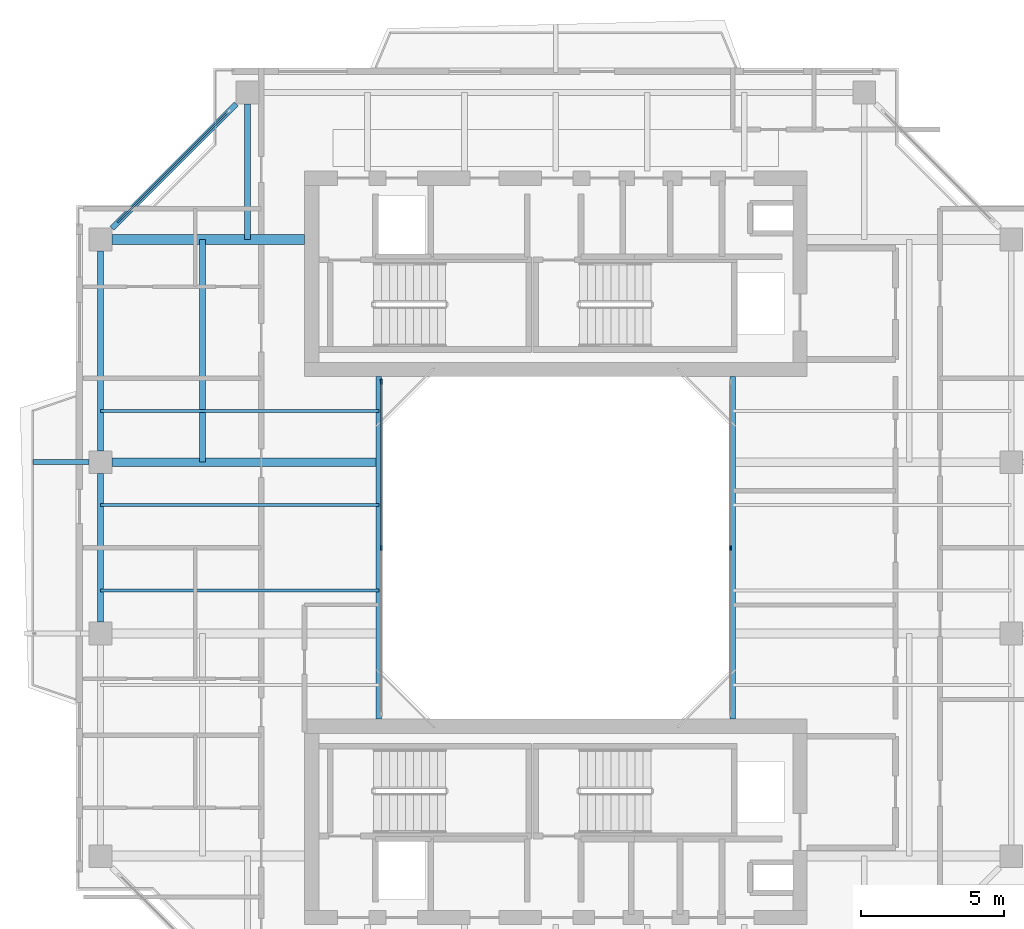
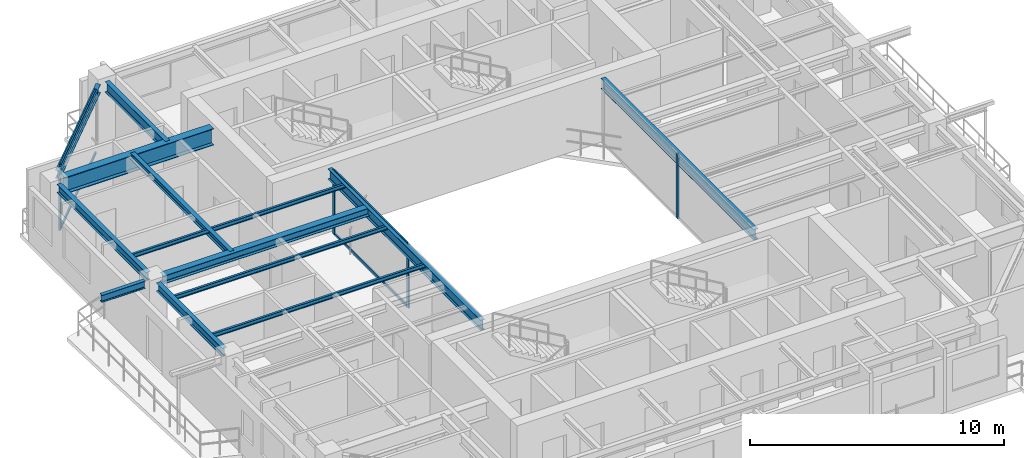
# One storey, part 5 of 15: 13 beams, 8 members, 3 elements without a shape of their own.
"""IFC4 building model written with IfcOpenShell, lengths in metres."""

from ifc_helpers import new_model, si_unit, direction, frame, origin, origin_2d, place, context, subcontext, project, spatial, rectangle, i_section, extrude, source, transform, mapped, material, layer, layer_set, material_profile, profile_set, type_object, element, aggregate, save


model = new_model("IFC4")

# Units and contexts
model_context = context("Model", 3, precision=1e-05, world=origin(), true_north=direction((0.0, 1.0)))
body_context = subcontext(model_context, "Body", "Model", "MODEL_VIEW")
ifc_project = project(units=[si_unit("LENGTHUNIT", "METRE"), si_unit("AREAUNIT", "SQUARE_METRE"), si_unit("VOLUMEUNIT", "CUBIC_METRE"), si_unit("PLANEANGLEUNIT", "RADIAN"), si_unit("MASSUNIT", "GRAM", prefix="KILO"), si_unit("THERMODYNAMICTEMPERATUREUNIT", "KELVIN"), si_unit("POWERUNIT", "WATT")], contexts=[model_context])

# Site, building, storey
site_placement = place(None, origin())
site = spatial("IfcSite", under=ifc_project, at=site_placement, CompositionType="ELEMENT")
building_placement = place(site_placement, origin())
building = spatial("IfcBuilding", under=site, at=building_placement, Name="Qiaomeng Ring Towers", CompositionType="ELEMENT")
storey_placement = place(building_placement, frame((0.0, 0.0, 213.25)))
storey = spatial("IfcBuildingStorey", under=building, at=storey_placement, Name="L62", CompositionType="ELEMENT", Elevation=213.25)

# Beams
ifc_material_1 = material(Name="Steel Q355B", Category="steel")
ifc_material_profile_1 = material_profile(ifc_material_1, i_section(OverallWidth=0.199951171875, OverallDepth=0.5, WebThickness=0.010009765625, FlangeThickness=0.01611328125, FilletRadius=0.02001953125, at=origin_2d()), Name="HN 500x200x10x16")
ifc_profile_set_1 = profile_set([ifc_material_profile_1], Name="Steel Q355B")
beam_type_1 = type_object("IfcBeamType", Name="STR-BM-HN500", PredefinedType="BEAM", material=ifc_profile_set_1)
shared_shape_1 = source(origin(), body_context, "Body", "SweptSolid", [
    extrude(i_section(OverallWidth=0.199951171875, OverallDepth=0.5, WebThickness=0.010009765625, FlangeThickness=0.01611328125, FilletRadius=0.02001953125, at=origin_2d()), origin(), (0.0, 0.0, 1.0), 12.0),
])
for number, where, z_axis, x_axis, name in (
    (1, (12.800048828125, 17.0, 2.820068359375), (0.0, 1.0, 0.0), (-1.0, 0.0, 0.0), "L62 beam STR-BM-L62-WELL-W"),
    (2, (25.199951171875, 17.0, 2.820068359375), (0.0, 1.0, 0.0), (-1.0, 0.0, 0.0), "L62 beam STR-BM-L62-WELL-E"),
):
    element("IfcBeam", number, at=place(storey_placement, frame(where, z_axis=z_axis, x_axis=x_axis)), inside=storey, type_object=beam_type_1, Name=name, PredefinedType="BEAM", context=body_context, shape_type="MappedRepresentation", body=[
        mapped(shared_shape_1, transform((0.0, 0.0, 0.0), x_axis=(1.0, 0.0, 0.0), y_axis=(0.0, 1.0, 0.0), z_axis=(0.0, 0.0, 1.0), scale=1.0)),
    ])
ifc_material_profile_2 = material_profile(ifc_material_1, i_section(OverallWidth=0.198974609375, OverallDepth=0.39599609375, WebThickness=0.007080078125, FlangeThickness=0.010986328125, FilletRadius=0.01611328125, at=origin_2d()), Name="HN 396x199x7x11")
ifc_profile_set_2 = profile_set([ifc_material_profile_2], Name="Steel Q355B")
beam_type_2 = type_object("IfcBeamType", Name="STR-BM-HN396", PredefinedType="SPANDREL", material=ifc_profile_set_2)
shared_shape_2 = source(origin(), body_context, "Body", "SweptSolid", [
    extrude(i_section(OverallWidth=0.198974609375, OverallDepth=0.39599609375, WebThickness=0.007080078125, FlangeThickness=0.010986328125, FilletRadius=0.01611328125, at=origin_2d()), origin(), (0.0, 0.0, 1.0), 6.154052734375),
])
beam_1_placement = place(storey_placement, frame((7.80078125, 38.55078125, 2.8720703125), z_axis=(-0.707106781187, -0.707106781187, 0.0), x_axis=(0.707106781187, -0.707106781187, 0.0)))
element("IfcBeam", 3, at=beam_1_placement, inside=storey, type_object=beam_type_2, Name="L62 beam STR-SP-L62-T1-N1-W4", PredefinedType="SPANDREL", context=body_context, shape_type="MappedRepresentation", body=[
    mapped(shared_shape_2, transform((0.0, 0.0, 0.0), x_axis=(1.0, 0.0, 0.0), y_axis=(0.0, 1.0, 0.0), z_axis=(0.0, 0.0, 1.0), scale=1.0)),
])
shared_shape_3 = source(origin(), body_context, "Body", "SweptSolid", [
    extrude(i_section(OverallWidth=0.198974609375, OverallDepth=0.39599609375, WebThickness=0.007080078125, FlangeThickness=0.010986328125, FilletRadius=0.01611328125, at=origin_2d()), origin(), (0.0, 0.0, 1.0), 7.001953125),
])
beam_2_placement = place(storey_placement, frame((3.050048828125, 33.40087890625, 2.8720703125), z_axis=(0.0, -1.0, 0.0), x_axis=(1.0, 0.0, 0.0)))
element("IfcBeam", 4, at=beam_2_placement, inside=storey, type_object=beam_type_2, Name="L62 beam STR-SP-L62-T1-W4-W3", PredefinedType="SPANDREL", context=body_context, shape_type="MappedRepresentation", body=[
    mapped(shared_shape_3, transform((0.0, 0.0, 0.0), x_axis=(1.0, 0.0, 0.0), y_axis=(0.0, 1.0, 0.0), z_axis=(0.0, 0.0, 1.0), scale=1.0)),
])
shared_shape_4 = source(origin(), body_context, "Body", "SweptSolid", [
    extrude(i_section(OverallWidth=0.198974609375, OverallDepth=0.39599609375, WebThickness=0.007080078125, FlangeThickness=0.010986328125, FilletRadius=0.01611328125, at=origin_2d()), origin(), (0.0, 0.0, 1.0), 5.2021484375),
])
beam_3_placement = place(storey_placement, frame((3.050048828125, 25.60107421875, 2.8720703125), z_axis=(0.0, -1.0, 0.0), x_axis=(1.0, 0.0, 0.0)))
element("IfcBeam", 5, at=beam_3_placement, inside=storey, type_object=beam_type_2, Name="L62 beam STR-SP-L62-T1-W3-W2", PredefinedType="SPANDREL", context=body_context, shape_type="MappedRepresentation", body=[
    mapped(shared_shape_4, transform((0.0, 0.0, 0.0), x_axis=(1.0, 0.0, 0.0), y_axis=(0.0, 1.0, 0.0), z_axis=(0.0, 0.0, 1.0), scale=1.0)),
])
ifc_material_2 = material(Name="Steel Q390GJC", Category="steel")
ifc_material_profile_3 = material_profile(ifc_material_2, i_section(OverallWidth=0.35009765625, OverallDepth=0.800048828125, WebThickness=0.01611328125, FlangeThickness=0.028076171875, at=origin_2d()), Name="WH 800x350x16x28")
ifc_profile_set_3 = profile_set([ifc_material_profile_3], Name="Steel Q390GJC")
beam_type_3 = type_object("IfcBeamType", Name="STR-BM-WH800", PredefinedType="BEAM", material=ifc_profile_set_3)
shared_shape_5 = source(origin(), body_context, "Body", "SweptSolid", [
    extrude(i_section(OverallWidth=0.35009765625, OverallDepth=0.800048828125, WebThickness=0.01611328125, FlangeThickness=0.028076171875, at=origin_2d()), origin(), (0.0, 0.0, 1.0), 6.7509765625),
])
beam_4_placement = place(storey_placement, frame((3.448974609375, 33.800048828125, 2.669921875), z_axis=(1.0, 0.0, 0.0), x_axis=(0.0, 1.0, 0.0)))
element("IfcBeam", 6, at=beam_4_placement, inside=storey, type_object=beam_type_3, Name="L62 beam STR-BM-L62-T1-RAD-W4", PredefinedType="BEAM", context=body_context, shape_type="MappedRepresentation", body=[
    mapped(shared_shape_5, transform((0.0, 0.0, 0.0), x_axis=(1.0, 0.0, 0.0), y_axis=(0.0, 1.0, 0.0), z_axis=(0.0, 0.0, 1.0), scale=1.0)),
])
ifc_material_profile_4 = material_profile(ifc_material_1, i_section(OverallWidth=0.300048828125, OverallDepth=0.389892578125, WebThickness=0.010009765625, FlangeThickness=0.01611328125, FilletRadius=0.02197265625, at=origin_2d()), Name="HM 390x300x10x16")
ifc_profile_set_4 = profile_set([ifc_material_profile_4], Name="Steel Q355B")
beam_type_4 = type_object("IfcBeamType", Name="STR-BM-HM390", PredefinedType="BEAM", material=ifc_profile_set_4)
shared_shape_6 = source(origin(), body_context, "Body", "SweptSolid", [
    extrude(i_section(OverallWidth=0.300048828125, OverallDepth=0.389892578125, WebThickness=0.010009765625, FlangeThickness=0.01611328125, FilletRadius=0.02197265625, at=origin_2d()), origin(), (0.0, 0.0, 1.0), 9.35107421875),
])
beam_5_placement = place(storey_placement, frame((3.448974609375, 26.0, 2.875), z_axis=(1.0, 0.0, 0.0), x_axis=(0.0, 1.0, 0.0)))
element("IfcBeam", 7, at=beam_5_placement, inside=storey, type_object=beam_type_4, Name="L62 beam STR-BM-L62-T1-RAD-W3", PredefinedType="BEAM", context=body_context, shape_type="MappedRepresentation", body=[
    mapped(shared_shape_6, transform((0.0, 0.0, 0.0), x_axis=(1.0, 0.0, 0.0), y_axis=(0.0, 1.0, 0.0), z_axis=(0.0, 0.0, 1.0), scale=1.0)),
])
ifc_material_profile_5 = material_profile(ifc_material_1, i_section(OverallWidth=0.175048828125, OverallDepth=0.35009765625, WebThickness=0.007080078125, FlangeThickness=0.010986328125, FilletRadius=0.013916015625, at=origin_2d()), Name="HN 350x175x7x11")
ifc_profile_set_5 = profile_set([ifc_material_profile_5], Name="Steel Q355B")
beam_type_5 = type_object("IfcBeamType", Name="STR-BM-HN350", PredefinedType="JOIST", material=ifc_profile_set_5)
shared_shape_7 = source(origin(), body_context, "Body", "SweptSolid", [
    extrude(i_section(OverallWidth=0.175048828125, OverallDepth=0.35009765625, WebThickness=0.007080078125, FlangeThickness=0.010986328125, FilletRadius=0.013916015625, at=origin_2d()), origin(), (0.0, 0.0, 1.0), 1.970947265625),
])
beam_6_placement = place(storey_placement, frame((0.679931640625, 26.0, 2.89501953125), z_axis=(1.0, 0.0, 0.0), x_axis=(0.0, 1.0, 0.0)))
element("IfcBeam", 8, at=beam_6_placement, inside=storey, type_object=beam_type_5, Name="L62 beam STR-BALBM-L62-W3", PredefinedType="JOIST", context=body_context, shape_type="MappedRepresentation", body=[
    mapped(shared_shape_7, transform((0.0, 0.0, 0.0), x_axis=(1.0, 0.0, 0.0), y_axis=(0.0, 1.0, 0.0), z_axis=(0.0, 0.0, 1.0), scale=1.0)),
])
ifc_material_profile_6 = material_profile(ifc_material_1, i_section(OverallWidth=0.10009765625, OverallDepth=0.199951171875, WebThickness=0.005615234375, FlangeThickness=0.008056640625, FilletRadius=0.010986328125, at=origin_2d()), Name="HN 200x100x5.5x8")
ifc_profile_set_6 = profile_set([ifc_material_profile_6], Name="Steel Q355B")
beam_type_6 = type_object("IfcBeamType", Name="STR-BM-HN200", PredefinedType="JOIST", material=ifc_profile_set_6)
shared_shape_8 = source(origin(), body_context, "Body", "SweptSolid", [
    extrude(i_section(OverallWidth=0.10009765625, OverallDepth=0.199951171875, WebThickness=0.005615234375, FlangeThickness=0.008056640625, FilletRadius=0.010986328125, at=origin_2d()), origin(), (0.0, 0.0, 1.0), 9.75),
])
for number, where, z_axis, x_axis, name in (
    (9, (3.050048828125, 21.5, 2.969970703125), (1.0, 0.0, 0.0), (0.0, 1.0, 0.0), "L62 beam STR-JST-L62-T1W-2"),
    (10, (3.050048828125, 24.5, 2.969970703125), (1.0, 0.0, 0.0), (0.0, 1.0, 0.0), "L62 beam STR-JST-L62-T1W-3"),
    (11, (3.050048828125, 27.800048828125, 2.969970703125), (1.0, 0.0, 0.0), (0.0, 1.0, 0.0), "L62 beam STR-JST-L62-T1W-4"),
):
    element("IfcBeam", number, at=place(storey_placement, frame(where, z_axis=z_axis, x_axis=x_axis)), inside=storey, type_object=beam_type_6, Name=name, PredefinedType="JOIST", context=body_context, shape_type="MappedRepresentation", body=[
        mapped(shared_shape_8, transform((0.0, 0.0, 0.0), x_axis=(1.0, 0.0, 0.0), y_axis=(0.0, 1.0, 0.0), z_axis=(0.0, 0.0, 1.0), scale=1.0)),
    ])
ifc_material_profile_7 = material_profile(ifc_material_1, i_section(OverallWidth=0.199951171875, OverallDepth=0.2939453125, WebThickness=0.008056640625, FlangeThickness=0.011962890625, FilletRadius=0.01806640625, at=origin_2d()), Name="HM 294x200x8x12")
ifc_profile_set_7 = profile_set([ifc_material_profile_7], Name="Steel Q355B")
beam_type_7 = type_object("IfcBeamType", Name="STR-BM-HM294", PredefinedType="JOIST", material=ifc_profile_set_7)
shared_shape_9 = source(origin(), body_context, "Body", "SweptSolid", [
    extrude(i_section(OverallWidth=0.199951171875, OverallDepth=0.2939453125, WebThickness=0.008056640625, FlangeThickness=0.011962890625, FilletRadius=0.01806640625, at=origin_2d()), origin(), (0.0, 0.0, 1.0), 7.800048828125),
])
beam_7_placement = place(storey_placement, frame((6.625, 26.0, 2.923095703125), z_axis=(0.0, 1.0, 0.0), x_axis=(-1.0, 0.0, 0.0)))
element("IfcBeam", 12, at=beam_7_placement, inside=storey, type_object=beam_type_7, Name="L62 beam STR-JST-L62-T1C-WN", PredefinedType="JOIST", context=body_context, shape_type="MappedRepresentation", body=[
    mapped(shared_shape_9, transform((0.0, 0.0, 0.0), x_axis=(1.0, 0.0, 0.0), y_axis=(0.0, 1.0, 0.0), z_axis=(0.0, 0.0, 1.0), scale=1.0)),
])
ifc_material_profile_8 = material_profile(ifc_material_1, i_section(OverallWidth=0.198974609375, OverallDepth=0.49609375, WebThickness=0.009033203125, FlangeThickness=0.013916015625, FilletRadius=0.01806640625, at=origin_2d()), Name="HN 496x199x9x14")
ifc_profile_set_8 = profile_set([ifc_material_profile_8], Name="Steel Q355B")
beam_type_8 = type_object("IfcBeamType", Name="STR-BM-HN496", PredefinedType="BEAM", material=ifc_profile_set_8)
shared_shape_10 = source(origin(), body_context, "Body", "SweptSolid", [
    extrude(i_section(OverallWidth=0.198974609375, OverallDepth=0.49609375, WebThickness=0.009033203125, FlangeThickness=0.013916015625, FilletRadius=0.01806640625, at=origin_2d()), origin(), (0.0, 0.0, 1.0), 4.7509765625),
])
beam_8_placement = place(storey_placement, frame((8.199951171875, 38.551025390625, 2.822021484375), z_axis=(0.0, -1.0, 0.0), x_axis=(1.0, 0.0, 0.0)))
element("IfcBeam", 13, at=beam_8_placement, inside=storey, type_object=beam_type_8, Name="L62 beam STR-BM-L62-T1-RAD-N1", PredefinedType="BEAM", context=body_context, shape_type="MappedRepresentation", body=[
    mapped(shared_shape_10, transform((0.0, 0.0, 0.0), x_axis=(1.0, 0.0, 0.0), y_axis=(0.0, 1.0, 0.0), z_axis=(0.0, 0.0, 1.0), scale=1.0)),
])

# Curtain wall, members
ifc_material_3 = material(Name="Fluorocarbon dark-grey aluminium", Category="aluminium")
ifc_layer_1 = layer(ifc_material_3, 0.139892578125, Name="Fluorocarbon dark-grey aluminium")
ifc_layer_set_1 = layer_set([ifc_layer_1], Name="Fluorocarbon dark-grey aluminium")
curtain_wall_type_1 = type_object("IfcCurtainWallType", Name="ARC-CW-4", PredefinedType="NOTDEFINED", material=ifc_layer_set_1)
curtain_wall_1_placement = place(storey_placement, origin())
curtain_wall_1 = element("IfcCurtainWall", 14, at=curtain_wall_1_placement, inside=storey, type_object=curtain_wall_type_1, Name="L62 Curtain Wall CW4", PredefinedType="NOTDEFINED")
ifc_material_profile_9 = material_profile(ifc_material_3, rectangle(XDim=0.06494140625, YDim=0.159912109375, at=origin_2d()), Name="ALU MULL 65x160")
ifc_profile_set_9 = profile_set([ifc_material_profile_9], Name="Fluorocarbon dark-grey aluminium")
member_type_1 = type_object("IfcMemberType", Name="ARC-CWM-140", PredefinedType="MULLION", material=ifc_profile_set_9)
shared_shape_11 = source(origin(), body_context, "Body", "SweptSolid", [
    extrude(rectangle(XDim=0.06494140625, YDim=0.159912109375, at=origin_2d()), origin(), (0.0, 0.0, 1.0), 3.070068359375),
])
member_1_placement = place(storey_placement, frame((12.8798828125, 23.0, 0.0), z_axis=(0.0, 0.0, 1.0), x_axis=(-1.0, 0.0, 0.0)))
member_1 = element("IfcMember", 15, at=member_1_placement, type_object=member_type_1, Name="CW4 mullion 2", PredefinedType="MULLION", context=body_context, shape_type="MappedRepresentation", body=[
    mapped(shared_shape_11, transform((0.0, 0.0, 0.0), x_axis=(1.0, 0.0, 0.0), y_axis=(0.0, 1.0, 0.0), z_axis=(0.0, 0.0, 1.0), scale=1.0)),
])
member_2_placement = place(storey_placement, frame((12.8798828125, 28.8173828125, 0.0), z_axis=(0.0, 0.0, 1.0), x_axis=(-1.0, 0.0, 0.0)))
member_2 = element("IfcMember", 16, at=member_2_placement, type_object=member_type_1, Name="CW4 mullion 3", PredefinedType="MULLION", context=body_context, shape_type="MappedRepresentation", body=[
    mapped(shared_shape_11, transform((0.0, 0.0, 0.0), x_axis=(1.0, 0.0, 0.0), y_axis=(0.0, 1.0, 0.0), z_axis=(0.0, 0.0, 1.0), scale=1.0)),
])

# Curtain wall, member
curtain_wall_2_placement = place(storey_placement, origin())
curtain_wall_2 = element("IfcCurtainWall", 17, at=curtain_wall_2_placement, inside=storey, type_object=curtain_wall_type_1, Name="L62 Curtain Wall CW4", PredefinedType="NOTDEFINED")
member_3_placement = place(storey_placement, frame((25.1201171875, 23.0, 0.0), z_axis=(0.0, 0.0, 1.0), x_axis=(-1.0, 0.0, 0.0)))
member_3 = element("IfcMember", 18, at=member_3_placement, type_object=member_type_1, Name="CW4 mullion 2", PredefinedType="MULLION", context=body_context, shape_type="MappedRepresentation", body=[
    mapped(shared_shape_11, transform((0.0, 0.0, 0.0), x_axis=(1.0, 0.0, 0.0), y_axis=(0.0, 1.0, 0.0), z_axis=(0.0, 0.0, 1.0), scale=1.0)),
])
aggregate(curtain_wall_2, [member_3])

# Member
ifc_material_profile_10 = material_profile(ifc_material_3, rectangle(XDim=0.06494140625, YDim=0.1298828125, at=origin_2d()), Name="ALU TRAN 65x130")
ifc_profile_set_10 = profile_set([ifc_material_profile_10], Name="Fluorocarbon dark-grey aluminium")
member_type_2 = type_object("IfcMemberType", Name="ARC-CWT-120", PredefinedType="USERDEFINED", material=ifc_profile_set_10)
shared_shape_12 = source(origin(), body_context, "Body", "SweptSolid", [
    extrude(rectangle(XDim=0.06494140625, YDim=0.1298828125, at=origin_2d()), origin(), (0.0, 0.0, 1.0), 5.75244140625),
])
member_4_placement = place(storey_placement, frame((12.8798828125, 23.032470703125, 0.032470703125), z_axis=(0.0, 1.0, 0.0), x_axis=(-1.0, 0.0, 0.0)))
member_4 = element("IfcMember", 19, at=member_4_placement, type_object=member_type_2, Name="CW4 transom 2.1", ObjectType="TRANSOM", PredefinedType="USERDEFINED", context=body_context, shape_type="MappedRepresentation", body=[
    mapped(shared_shape_12, transform((0.0, 0.0, 0.0), x_axis=(1.0, 0.0, 0.0), y_axis=(0.0, 1.0, 0.0), z_axis=(0.0, 0.0, 1.0), scale=1.0)),
])

member_5_placement = place(storey_placement, frame((12.8798828125, 23.032470703125, 3.03759765625), z_axis=(0.0, 1.0, 0.0), x_axis=(-1.0, 0.0, 0.0)))
member_5 = element("IfcMember", 20, at=member_5_placement, type_object=member_type_2, Name="CW4 transom 2.2", ObjectType="TRANSOM", PredefinedType="USERDEFINED", context=body_context, shape_type="MappedRepresentation", body=[
    mapped(shared_shape_12, transform((0.0, 0.0, 0.0), x_axis=(1.0, 0.0, 0.0), y_axis=(0.0, 1.0, 0.0), z_axis=(0.0, 0.0, 1.0), scale=1.0)),
])

aggregate(curtain_wall_1, [member_1, member_2, member_4, member_5])

# Curtain wall, members
ifc_layer_2 = layer(ifc_material_3, 0.14990234375, Name="Fluorocarbon dark-grey aluminium")
ifc_layer_set_2 = layer_set([ifc_layer_2], Name="Fluorocarbon dark-grey aluminium")
curtain_wall_type_2 = type_object("IfcCurtainWallType", Name="ARC-CW-3", PredefinedType="NOTDEFINED", material=ifc_layer_set_2)
curtain_wall_3_placement = place(storey_placement, origin())
curtain_wall_3 = element("IfcCurtainWall", 21, at=curtain_wall_3_placement, inside=storey, type_object=curtain_wall_type_2, Name="L62 Curtain Wall CW3", PredefinedType="NOTDEFINED")
ifc_material_profile_11 = material_profile(ifc_material_3, rectangle(XDim=0.070068359375, YDim=0.179931640625, at=origin_2d()), Name="ALU MULL 70x180")
ifc_profile_set_11 = profile_set([ifc_material_profile_11], Name="Fluorocarbon dark-grey aluminium")
member_type_3 = type_object("IfcMemberType", Name="ARC-CWM-160", PredefinedType="MULLION", material=ifc_profile_set_11)
shared_shape_13 = source(origin(), body_context, "Body", "SweptSolid", [
    extrude(rectangle(XDim=0.070068359375, YDim=0.179931640625, at=origin_2d()), origin(), (0.0, 0.0, 1.0), 3.070068359375),
])
member_6_placement = place(storey_placement, frame((3.71484375, 34.46484375, 0.0), z_axis=(0.0, 0.0, 1.0), x_axis=(0.707106781187, -0.707106781187, 0.0)))
member_6 = element("IfcMember", 22, at=member_6_placement, type_object=member_type_3, Name="CW3 mullion 2", PredefinedType="MULLION", context=body_context, shape_type="MappedRepresentation", body=[
    mapped(shared_shape_13, transform((0.0, 0.0, 0.0), x_axis=(1.0, 0.0, 0.0), y_axis=(0.0, 1.0, 0.0), z_axis=(0.0, 0.0, 1.0), scale=1.0)),
])
shared_shape_14 = source(origin(), body_context, "Body", "SweptSolid", [
    extrude(rectangle(XDim=0.06494140625, YDim=0.1298828125, at=origin_2d()), origin(), (0.0, 0.0, 1.0), 5.3330078125),
])
member_7_placement = place(storey_placement, frame((7.510498046875, 38.260498046875, 0.032470703125), z_axis=(-0.707106781187, -0.707106781187, 0.0), x_axis=(0.707106781187, -0.707106781187, 0.0)))
member_7 = element("IfcMember", 23, at=member_7_placement, type_object=member_type_2, Name="CW3 transom 1.1", ObjectType="TRANSOM", PredefinedType="USERDEFINED", context=body_context, shape_type="MappedRepresentation", body=[
    mapped(shared_shape_14, transform((0.0, 0.0, 0.0), x_axis=(1.0, 0.0, 0.0), y_axis=(0.0, 1.0, 0.0), z_axis=(0.0, 0.0, 1.0), scale=1.0)),
])
member_8_placement = place(storey_placement, frame((7.510498046875, 38.260498046875, 3.03759765625), z_axis=(-0.707106781187, -0.707106781187, 0.0), x_axis=(0.707106781187, -0.707106781187, 0.0)))
member_8 = element("IfcMember", 24, at=member_8_placement, type_object=member_type_2, Name="CW3 transom 1.2", ObjectType="TRANSOM", PredefinedType="USERDEFINED", context=body_context, shape_type="MappedRepresentation", body=[
    mapped(shared_shape_14, transform((0.0, 0.0, 0.0), x_axis=(1.0, 0.0, 0.0), y_axis=(0.0, 1.0, 0.0), z_axis=(0.0, 0.0, 1.0), scale=1.0)),
])
aggregate(curtain_wall_3, [member_6, member_7, member_8])

save(model, "model.ifc")
